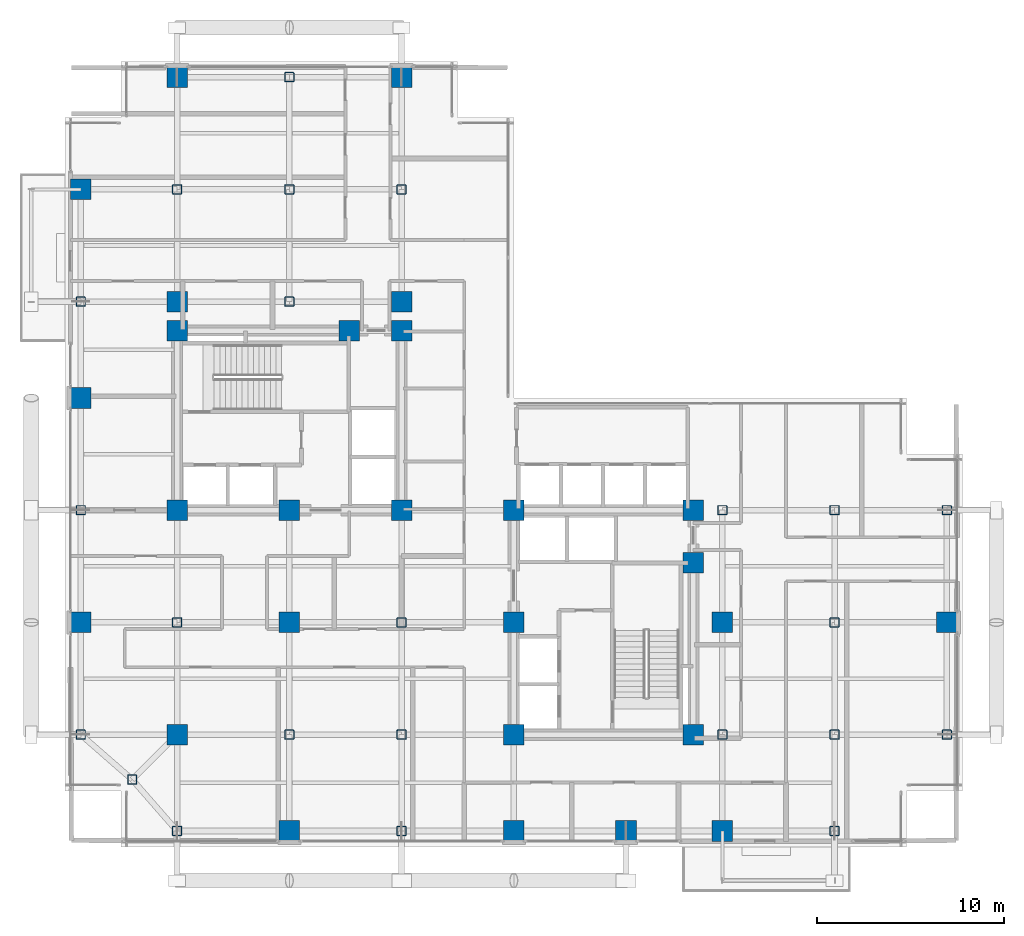
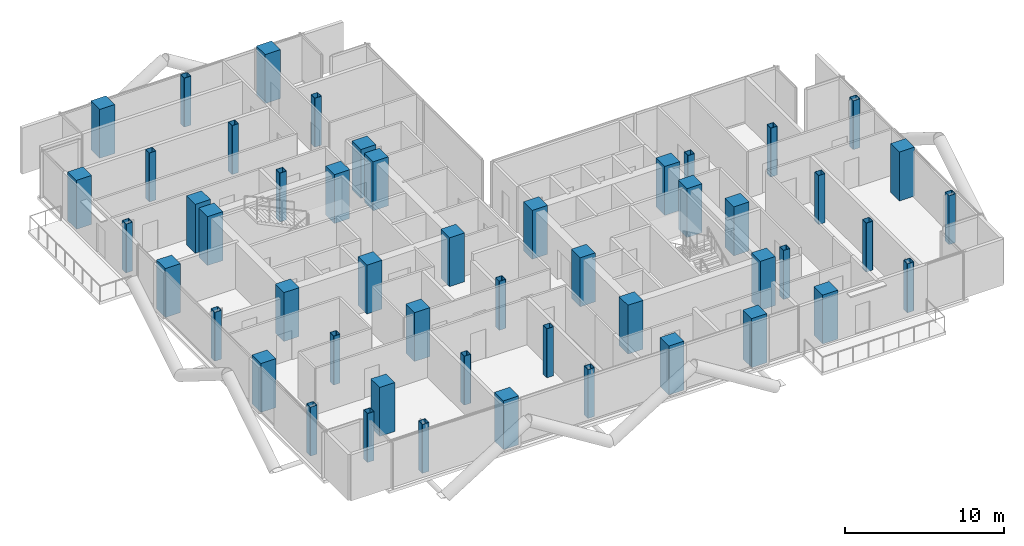
# One storey, part 1 of 28: 50 columns.
"""IFC4 building model written with IfcOpenShell, lengths in metres."""

from ifc_helpers import new_model, si_unit, direction, frame, origin, origin_2d, place, context, subcontext, project, spatial, rectangle, hollow_rectangle, extrude, material, material_profile, profile_set, type_object, element, save


model = new_model("IFC4")

# Units and contexts
model_context = context("Model", 3, precision=1e-05, world=origin(), true_north=direction((0.0, 1.0)))
body_context = subcontext(model_context, "Body", "Model", "MODEL_VIEW")
ifc_project = project(units=[si_unit("LENGTHUNIT", "METRE"), si_unit("AREAUNIT", "SQUARE_METRE"), si_unit("VOLUMEUNIT", "CUBIC_METRE"), si_unit("PLANEANGLEUNIT", "RADIAN"), si_unit("MASSUNIT", "GRAM", prefix="KILO"), si_unit("THERMODYNAMICTEMPERATUREUNIT", "KELVIN"), si_unit("POWERUNIT", "WATT")], contexts=[model_context])

# Site, building, storey
site_placement = place(None, origin())
site = spatial("IfcSite", under=ifc_project, at=site_placement, CompositionType="ELEMENT")
building_placement = place(site_placement, origin())
building = spatial("IfcBuilding", under=site, at=building_placement, Name="Svarakhadi Broadcast Tower", CompositionType="ELEMENT")
storey_placement = place(building_placement, frame((0.0, 0.0, 134.39990234375)))
storey = spatial("IfcBuildingStorey", under=building, at=storey_placement, Name="L32", CompositionType="ELEMENT", Elevation=134.39990234375)

# Columns
ifc_material_1 = material(Name="Concrete C50/60 (IS 456 M60)", Category="concrete")
ifc_material_profile_1 = material_profile(ifc_material_1, rectangle(XDim=1.10009765625, YDim=1.10009765625, at=origin_2d()), Name="RC 1100x1100")
ifc_profile_set_1 = profile_set([ifc_material_profile_1], Name="Concrete C50/60 (IS 456 M60)")
column_type_1 = type_object("IfcColumnType", Name="Col_RC1100", PredefinedType="COLUMN", material=ifc_profile_set_1)
for number, where, z_axis, x_axis, name in (
    (1, (6.0, 18.0, 0.0), (0.0, 0.0, 1.0), (1.0, 0.0, 0.0), "L32 Column CW1"),
    (2, (12.0, 18.0, 0.0), (0.0, 0.0, 1.0), (1.0, 0.0, 0.0), "L32 Column CW2"),
    (3, (18.0, 18.0, 0.0), (0.0, 0.0, 1.0), (1.0, 0.0, 0.0), "L32 Column CW3"),
    (4, (6.0, 27.60009765625, 0.0), (0.0, 0.0, 1.0), (1.0, 0.0, 0.0), "L32 Column CW4"),
    (5, (15.199951171875, 27.60009765625, 0.0), (0.0, 0.0, 1.0), (1.0, 0.0, 0.0), "L32 Column CW5"),
    (6, (18.0, 27.60009765625, 0.0), (0.0, 0.0, 1.0), (1.0, 0.0, 0.0), "L32 Column CW6"),
    (7, (24.0, 6.0, 0.0), (0.0, 0.0, 1.0), (1.0, 0.0, 0.0), "L32 Column CE1"),
    (8, (24.0, 12.0, 0.0), (0.0, 0.0, 1.0), (1.0, 0.0, 0.0), "L32 Column CE2"),
    (9, (24.0, 18.0, 0.0), (0.0, 0.0, 1.0), (1.0, 0.0, 0.0), "L32 Column CE3"),
    (10, (33.60009765625, 6.0, 0.0), (0.0, 0.0, 1.0), (1.0, 0.0, 0.0), "L32 Column CE4"),
    (11, (33.60009765625, 15.199951171875, 0.0), (0.0, 0.0, 1.0), (1.0, 0.0, 0.0), "L32 Column CE5"),
    (12, (33.60009765625, 18.0, 0.0), (0.0, 0.0, 1.0), (1.0, 0.0, 0.0), "L32 Column CE6"),
    (13, (0.85009765625, 12.0, 0.0), (0.0, 0.0, 1.0), (1.0, 0.0, 0.0), "L32 Column G04"),
    (14, (0.85009765625, 24.0, 0.0), (0.0, 0.0, 1.0), (1.0, 0.0, 0.0), "L32 Column G06"),
    (15, (0.85009765625, 35.14990234375, 0.0), (0.0, 0.0, 1.0), (1.0, 0.0, 0.0), "L32 Column G08"),
    (16, (6.0, 6.0, 0.0), (0.0, 0.0, 1.0), (1.0, 0.0, 0.0), "L32 Column G12"),
    (17, (6.0, 29.14990234375, 0.0), (0.0, 0.0, 1.0), (1.0, 0.0, 0.0), "L32 Column G14"),
    (18, (6.0, 41.14990234375, 0.0), (0.0, 0.0, 1.0), (1.0, 0.0, 0.0), "L32 Column G16"),
    (19, (12.0, 0.85009765625, 0.0), (0.0, 0.0, 1.0), (1.0, 0.0, 0.0), "L32 Column G18"),
    (20, (12.0, 12.0, 0.0), (0.0, 0.0, 1.0), (1.0, 0.0, 0.0), "L32 Column G20"),
    (21, (18.0, 29.14990234375, 0.0), (0.0, 0.0, 1.0), (1.0, 0.0, 0.0), "L32 Column G28"),
    (22, (18.0, 41.14990234375, 0.0), (0.0, 0.0, 1.0), (1.0, 0.0, 0.0), "L32 Column G30"),
    (23, (24.0, 0.85009765625, 0.0), (0.0, 0.0, 1.0), (1.0, 0.0, 0.0), "L32 Column G32"),
    (24, (30.0, 0.85009765625, 0.0), (0.0, 0.0, 1.0), (1.0, 0.0, 0.0), "L32 Column G36"),
    (25, (35.14990234375, 0.85009765625, 0.0), (0.0, 0.0, 1.0), (1.0, 0.0, 0.0), "L32 Column G38"),
    (26, (35.14990234375, 12.0, 0.0), (0.0, 0.0, 1.0), (1.0, 0.0, 0.0), "L32 Column G40"),
    (27, (47.14990234375, 12.0, 0.0), (0.0, 0.0, 1.0), (1.0, 0.0, 0.0), "L32 Column G52"),
):
    element("IfcColumn", number, at=place(storey_placement, frame(where, z_axis=z_axis, x_axis=x_axis)), inside=storey, type_object=column_type_1, Name=name, PredefinedType="COLUMN", context=body_context, shape_type="SweptSolid", body=[
        extrude(rectangle(XDim=1.10009765625, YDim=1.10009765625, at=origin_2d()), origin(), (0.0, 0.0, 1.0), 3.75),
    ])
ifc_material_2 = material(Name="Steel S460ML (IS 2062 E450BR)", Category="steel")
ifc_material_profile_2 = material_profile(ifc_material_2, hollow_rectangle(XDim=0.5, YDim=0.5, WallThickness=0.02490234375, InnerFilletRadius=0.02490234375, OuterFilletRadius=0.0400390625, at=origin_2d()), Name="SHS 500x500x25")
ifc_profile_set_2 = profile_set([ifc_material_profile_2], Name="Steel S460ML (IS 2062 E450BR)")
column_type_2 = type_object("IfcColumnType", Name="Col_SHS500", PredefinedType="COLUMN", material=ifc_profile_set_2)
for number, where, z_axis, x_axis, name in (
    (28, (3.60009765625, 3.60009765625, 0.0), (0.0, 0.0, 1.0), (1.0, 0.0, 0.0), "L32 Column G01"),
    (29, (0.85009765625, 6.0, 0.0), (0.0, 0.0, 1.0), (1.0, 0.0, 0.0), "L32 Column G03"),
    (30, (0.85009765625, 18.0, 0.0), (0.0, 0.0, 1.0), (1.0, 0.0, 0.0), "L32 Column G05"),
    (31, (0.85009765625, 29.14990234375, 0.0), (0.0, 0.0, 1.0), (1.0, 0.0, 0.0), "L32 Column G07"),
    (32, (6.0, 0.85009765625, 0.0), (0.0, 0.0, 1.0), (1.0, 0.0, 0.0), "L32 Column G11"),
    (33, (6.0, 12.0, 0.0), (0.0, 0.0, 1.0), (1.0, 0.0, 0.0), "L32 Column G13"),
    (34, (6.0, 35.14990234375, 0.0), (0.0, 0.0, 1.0), (1.0, 0.0, 0.0), "L32 Column G15"),
    (35, (12.0, 6.0, 0.0), (0.0, 0.0, 1.0), (1.0, 0.0, 0.0), "L32 Column G19"),
    (36, (12.0, 29.14990234375, 0.0), (0.0, 0.0, 1.0), (1.0, 0.0, 0.0), "L32 Column G21"),
    (37, (12.0, 35.14990234375, 0.0), (0.0, 0.0, 1.0), (1.0, 0.0, 0.0), "L32 Column G22"),
    (38, (12.0, 41.14990234375, 0.0), (0.0, 0.0, 1.0), (1.0, 0.0, 0.0), "L32 Column G23"),
    (39, (18.0, 0.85009765625, 0.0), (0.0, 0.0, 1.0), (1.0, 0.0, 0.0), "L32 Column G25"),
    (40, (18.0, 6.0, 0.0), (0.0, 0.0, 1.0), (1.0, 0.0, 0.0), "L32 Column G26"),
    (41, (18.0, 12.0, 0.0), (0.0, 0.0, 1.0), (1.0, 0.0, 0.0), "L32 Column G27"),
    (42, (18.0, 35.14990234375, 0.0), (0.0, 0.0, 1.0), (1.0, 0.0, 0.0), "L32 Column G29"),
    (43, (35.14990234375, 6.0, 0.0), (0.0, 0.0, 1.0), (1.0, 0.0, 0.0), "L32 Column G39"),
    (44, (35.14990234375, 18.0, 0.0), (0.0, 0.0, 1.0), (1.0, 0.0, 0.0), "L32 Column G41"),
    (45, (41.14990234375, 0.85009765625, 0.0), (0.0, 0.0, 1.0), (1.0, 0.0, 0.0), "L32 Column G43"),
    (46, (41.14990234375, 6.0, 0.0), (0.0, 0.0, 1.0), (1.0, 0.0, 0.0), "L32 Column G44"),
    (47, (41.14990234375, 12.0, 0.0), (0.0, 0.0, 1.0), (1.0, 0.0, 0.0), "L32 Column G45"),
    (48, (41.14990234375, 18.0, 0.0), (0.0, 0.0, 1.0), (1.0, 0.0, 0.0), "L32 Column G46"),
    (49, (47.14990234375, 6.0, 0.0), (0.0, 0.0, 1.0), (1.0, 0.0, 0.0), "L32 Column G51"),
    (50, (47.14990234375, 18.0, 0.0), (0.0, 0.0, 1.0), (1.0, 0.0, 0.0), "L32 Column G53"),
):
    element("IfcColumn", number, at=place(storey_placement, frame(where, z_axis=z_axis, x_axis=x_axis)), inside=storey, type_object=column_type_2, Name=name, PredefinedType="COLUMN", context=body_context, shape_type="SweptSolid", body=[
        extrude(hollow_rectangle(XDim=0.5, YDim=0.5, WallThickness=0.02490234375, InnerFilletRadius=0.02490234375, OuterFilletRadius=0.0400390625, at=origin_2d()), origin(), (0.0, 0.0, 1.0), 3.75),
    ])

save(model, "model.ifc")
